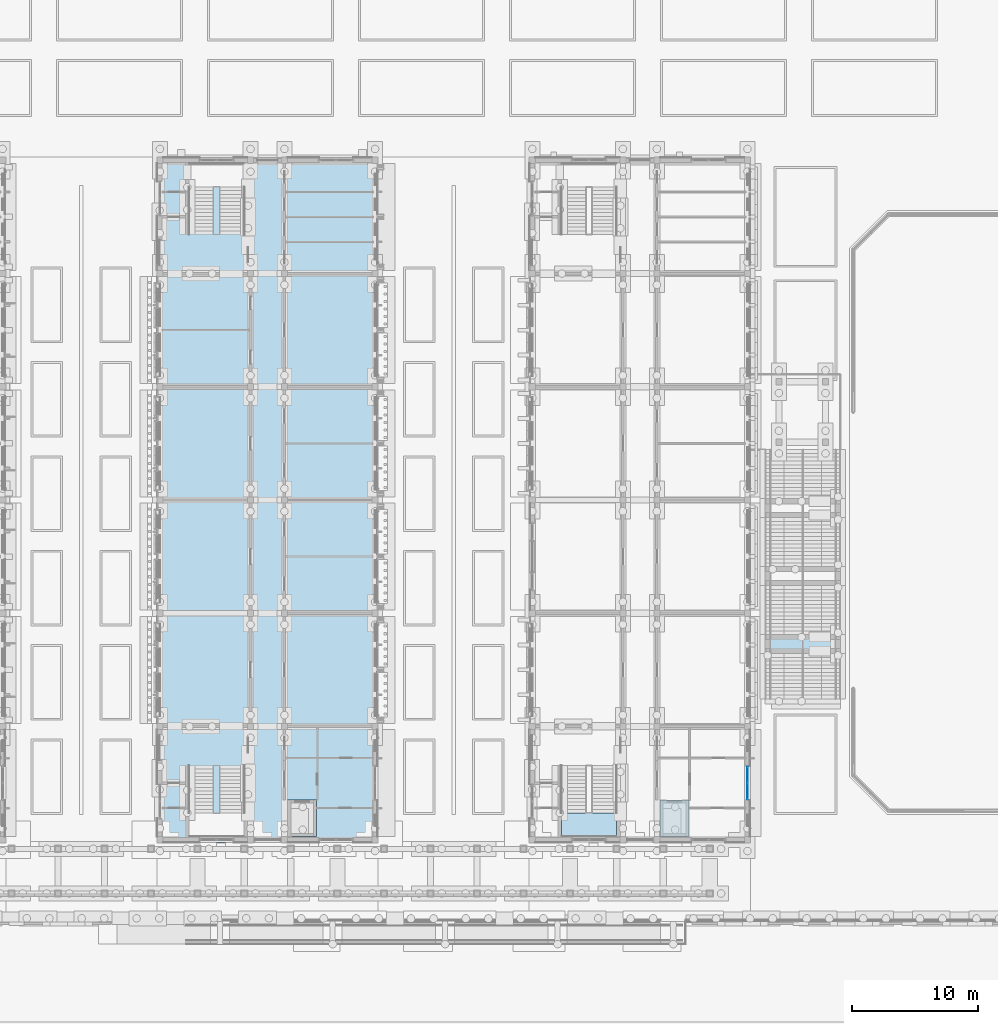
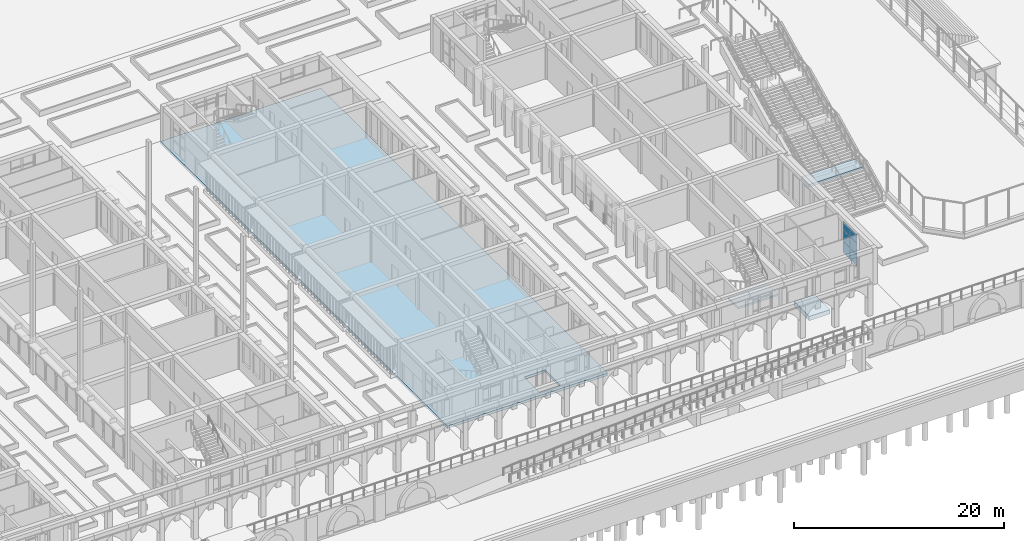
# One storey, part 50 of 161: 6 plates, 4 slabs, 3 elements without a shape of their own.
"""IFC4 building model written with IfcOpenShell, lengths in metres."""

from ifc_helpers import new_model, si_unit, direction, frame, origin, origin_2d, place, context, subcontext, project, spatial, polyline, rectangle, outline, extrude, material, layer, layer_set, type_object, element, aggregate, save


model = new_model("IFC4")

# Units and contexts
model_context = context("Model", 3, precision=1e-05, world=origin(), true_north=direction((0.0, 1.0)))
body_context = subcontext(model_context, "Body", "Model", "MODEL_VIEW")
ifc_project = project(units=[si_unit("LENGTHUNIT", "METRE"), si_unit("AREAUNIT", "SQUARE_METRE"), si_unit("VOLUMEUNIT", "CUBIC_METRE"), si_unit("PLANEANGLEUNIT", "RADIAN"), si_unit("MASSUNIT", "GRAM", prefix="KILO")], contexts=[model_context])

# Site, building, storey
site_placement = place(None, origin())
site = spatial("IfcSite", under=ifc_project, at=site_placement, CompositionType="ELEMENT")
building_placement = place(site_placement, origin())
building = spatial("IfcBuilding", under=site, at=building_placement, Name="Elbe Cascade School", CompositionType="ELEMENT")
storey_placement = place(building_placement, origin())
storey = spatial("IfcBuildingStorey", under=building, at=storey_placement, Name="L00", CompositionType="ELEMENT", Elevation=0.0)

# Stair, slab
ifc_material_1 = material(Name="Concrete C30/37", Category="concrete")
stair_type_1 = type_object("IfcStairType", Name="Bar stair RC 150", PredefinedType="HALF_TURN_STAIR", material=ifc_material_1)
stair_1_placement = place(storey_placement, origin())
stair_1 = element("IfcStair", 1, at=stair_1_placement, inside=storey, type_object=stair_type_1, Name="Stair D0.S", PredefinedType="HALF_TURN_STAIR")
ifc_material_2 = material(Name="Concrete C30/37", Category="concrete")
ifc_layer_1 = layer(ifc_material_2, 0.199951171875)
ifc_layer_set_1 = layer_set([ifc_layer_1], Name="Concrete C30/37")
slab_type_1 = type_object("IfcSlabType", Name="Bar stair landing RC 200", PredefinedType="LANDING", material=ifc_layer_set_1)
slab_1_placement = place(storey_placement, frame((0.0, 0.0, 2.050048828125)))
slab_1 = element("IfcSlab", 2, at=slab_1_placement, type_object=slab_type_1, Name="ST3 landing 1", PredefinedType="LANDING", context=body_context, shape_type="SweptSolid", body=[
    extrude(outline(polyline([(160.10009765625, 6.179931640625), (164.5, 6.179931640625), (164.5, 8.1298828125), (160.10009765625, 8.1298828125), (160.10009765625, 6.179931640625)])), origin(), (0.0, 0.0, 1.0), 0.199951171875),
])
aggregate(stair_1, [slab_1])

# Curtain wall, plates
ifc_material_3 = material(Name="Aluminium frame with double glazing, bronze anodised", Category="aluminium")
ifc_layer_2 = layer(ifc_material_3, 0.199951171875)
ifc_layer_set_2 = layer_set([ifc_layer_2], Name="Aluminium frame with double glazing, bronze anodised")
curtain_wall_type = type_object("IfcCurtainWallType", Name="Bars envelope Curtain wall, aluminium, bronze anodised, ground floor tall run", PredefinedType="NOTDEFINED", material=ifc_layer_set_2)
curtain_wall_placement = place(storey_placement, origin())
curtain_wall = element("IfcCurtainWall", 3, at=curtain_wall_placement, inside=storey, type_object=curtain_wall_type, Name="Curtain wall CW3 D.L00.e1", PredefinedType="NOTDEFINED")
ifc_material_4 = material(Name="Glass - double glazed low-E", Category="glass")
ifc_layer_3 = layer(ifc_material_4, 0.035888671875)
ifc_layer_set_3 = layer_set([ifc_layer_3], Name="Glass - double glazed low-E")
plate_type = type_object("IfcPlateType", Name="Bars envelope Curtain wall glazing panel 36 mm, double glazed, ground floor tall run", PredefinedType="CURTAIN_PANEL", material=ifc_layer_set_3)
plate_1_placement = place(storey_placement, frame((174.89990234375, 11.159912109375, 0.06005859375), z_axis=(0.0, 0.0, 1.0), x_axis=(0.0, -1.0, 0.0)))
plate_1 = element("IfcPlate", 4, at=plate_1_placement, type_object=plate_type, Name="CW3 panel 1.1", PredefinedType="CURTAIN_PANEL", context=body_context, shape_type="SweptSolid", body=[
    extrude(rectangle(XDim=1.260009765625, YDim=0.035888671875, at=origin_2d()), origin(), (0.0, 0.0, 1.0), 1.260009765625),
])
plate_2_placement = place(storey_placement, frame((174.89990234375, 11.159912109375, 1.3798828125), z_axis=(0.0, 0.0, 1.0), x_axis=(0.0, -1.0, 0.0)))
plate_2 = element("IfcPlate", 5, at=plate_2_placement, type_object=plate_type, Name="CW3 panel 1.2", PredefinedType="CURTAIN_PANEL", context=body_context, shape_type="SweptSolid", body=[
    extrude(rectangle(XDim=1.260009765625, YDim=0.035888671875, at=origin_2d()), origin(), (0.0, 0.0, 1.0), 1.2900390625),
])
plate_3_placement = place(storey_placement, frame((174.89990234375, 11.159912109375, 2.72998046875), z_axis=(0.0, 0.0, 1.0), x_axis=(0.0, -1.0, 0.0)))
plate_3 = element("IfcPlate", 6, at=plate_3_placement, type_object=plate_type, Name="CW3 panel 1.3", PredefinedType="CURTAIN_PANEL", context=body_context, shape_type="SweptSolid", body=[
    extrude(rectangle(XDim=1.260009765625, YDim=0.035888671875, at=origin_2d()), origin(), (0.0, 0.0, 1.0), 0.9599609375),
])
plate_4_placement = place(storey_placement, frame((174.89990234375, 9.840087890625, 0.06005859375), z_axis=(0.0, 0.0, 1.0), x_axis=(0.0, -1.0, 0.0)))
plate_4 = element("IfcPlate", 7, at=plate_4_placement, type_object=plate_type, Name="CW3 panel 2.1", PredefinedType="CURTAIN_PANEL", context=body_context, shape_type="SweptSolid", body=[
    extrude(rectangle(XDim=1.260009765625, YDim=0.035888671875, at=origin_2d()), origin(), (0.0, 0.0, 1.0), 1.260009765625),
])
plate_5_placement = place(storey_placement, frame((174.89990234375, 9.840087890625, 1.3798828125), z_axis=(0.0, 0.0, 1.0), x_axis=(0.0, -1.0, 0.0)))
plate_5 = element("IfcPlate", 8, at=plate_5_placement, type_object=plate_type, Name="CW3 panel 2.2", PredefinedType="CURTAIN_PANEL", context=body_context, shape_type="SweptSolid", body=[
    extrude(rectangle(XDim=1.260009765625, YDim=0.035888671875, at=origin_2d()), origin(), (0.0, 0.0, 1.0), 1.2900390625),
])
plate_6_placement = place(storey_placement, frame((174.89990234375, 9.840087890625, 2.72998046875), z_axis=(0.0, 0.0, 1.0), x_axis=(0.0, -1.0, 0.0)))
plate_6 = element("IfcPlate", 9, at=plate_6_placement, type_object=plate_type, Name="CW3 panel 2.3", PredefinedType="CURTAIN_PANEL", context=body_context, shape_type="SweptSolid", body=[
    extrude(rectangle(XDim=1.260009765625, YDim=0.035888671875, at=origin_2d()), origin(), (0.0, 0.0, 1.0), 0.9599609375),
])
aggregate(curtain_wall, [plate_1, plate_2, plate_3, plate_4, plate_5, plate_6])

# Stair, slab
ifc_material_5 = material(Name="Concrete C30/37", Category="concrete")
stair_type_2 = type_object("IfcStairType", Name="Cascade steps", PredefinedType="STRAIGHT_RUN_STAIR", material=ifc_material_5)
stair_2_placement = place(storey_placement, origin())
stair_2 = element("IfcStair", 10, at=stair_2_placement, inside=storey, type_object=stair_type_2, Name="Cascade steps", PredefinedType="STRAIGHT_RUN_STAIR")
ifc_material_6 = material(Name="Concrete C30/37", Category="concrete")
ifc_layer_4 = layer(ifc_material_6, 0.300048828125)
ifc_layer_set_4 = layer_set([ifc_layer_4], Name="Concrete C30/37")
slab_type_2 = type_object("IfcSlabType", Name="Cascade steps landing 300", PredefinedType="LANDING", material=ifc_layer_set_4)
slab_2_placement = place(storey_placement, frame((0.0, 0.0, 1.642822265625)))
slab_2 = element("IfcSlab", 11, at=slab_2_placement, type_object=slab_type_2, Name="ST2 landing 1", PredefinedType="LANDING", context=body_context, shape_type="SweptSolid", body=[
    extrude(outline(polyline([(176.300048828125, 20.800048828125), (182.300048828125, 20.800048828125), (182.300048828125, 22.300048828125), (176.300048828125, 22.300048828125), (176.300048828125, 20.800048828125)])), origin(), (0.0, 0.0, 1.0), 0.300048828125),
])
aggregate(stair_2, [slab_2])

# Slabs
ifc_material_7 = material(Name="Concrete C35/45", Category="concrete")
ifc_layer_5 = layer(ifc_material_7, 0.300048828125)
ifc_layer_set_5 = layer_set([ifc_layer_5], Name="Concrete C35/45")
slab_type_3 = type_object("IfcSlabType", Name="Ground slab 300", PredefinedType="BASESLAB", material=ifc_layer_set_5)
slab_3_placement = place(storey_placement, frame((0.0, 0.0, -0.300048828125)))
element("IfcSlab", 12, at=slab_3_placement, inside=storey, type_object=slab_type_3, Name="Ground slab 300 S1", PredefinedType="BASESLAB", context=body_context, shape_type="SweptSolid", body=[
    extrude(outline(polyline([(127.949951171875, 5.75), (145.550048828125, 5.75), (145.550048828125, 60.25), (127.949951171875, 60.25), (127.949951171875, 5.75)]), holes=[polyline([(138.35009765625, 6.25), (140.64990234375, 6.25), (140.64990234375, 9.14990234375), (138.35009765625, 9.14990234375), (138.35009765625, 6.25)])]), origin(), (0.0, 0.0, 1.0), 0.300048828125),
])
ifc_material_8 = material(Name="Concrete C35/45", Category="concrete")
ifc_layer_6 = layer(ifc_material_8, 0.5)
ifc_layer_set_6 = layer_set([ifc_layer_6], Name="Concrete C35/45")
slab_type_4 = type_object("IfcSlabType", Name="Lift pit slab 500", PredefinedType="BASESLAB", material=ifc_layer_set_6)
slab_4_placement = place(storey_placement, frame((0.0, 0.0, -2.10009765625)))
element("IfcSlab", 13, at=slab_4_placement, inside=storey, type_object=slab_type_4, Name="Lift pit slab 500 S5", PredefinedType="BASESLAB", context=body_context, shape_type="SweptSolid", body=[
    extrude(outline(polyline([(167.949951171875, 6.25), (170.25, 6.25), (170.25, 9.14990234375), (167.949951171875, 9.14990234375), (167.949951171875, 6.25)])), origin(), (0.0, 0.0, 1.0), 0.5),
])

save(model, "model.ifc")
